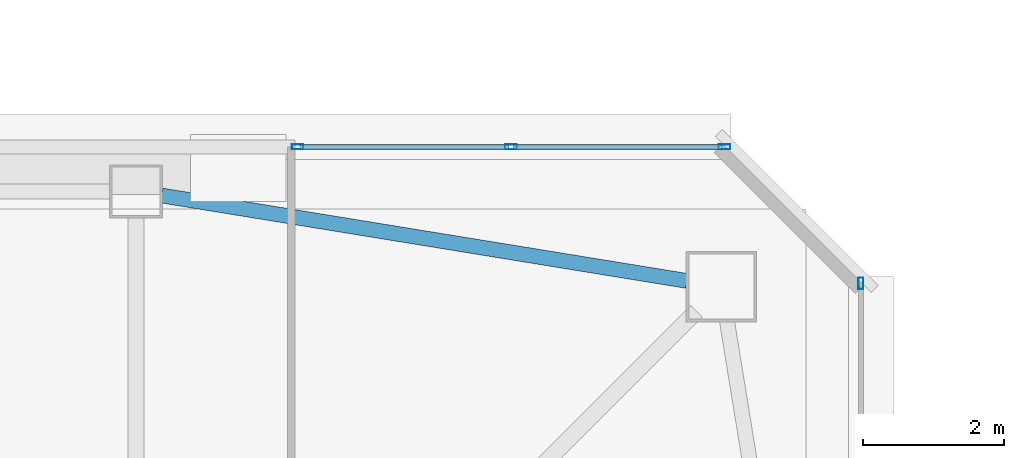
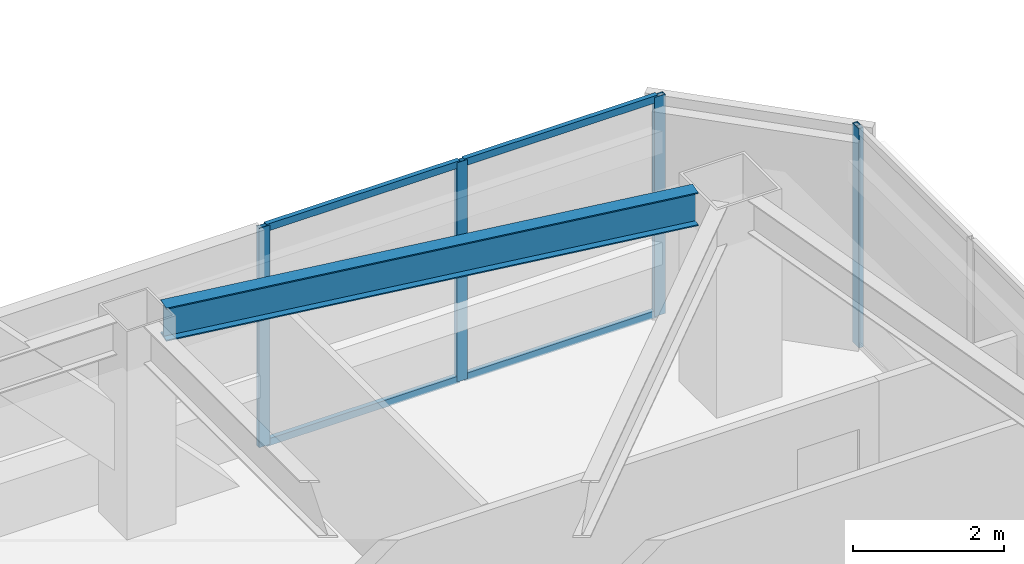
# One storey, part 16 of 39: 8 members, 1 beam, 2 elements without a shape of their own.
"""IFC4 building model written with IfcOpenShell, lengths in metres."""

from ifc_helpers import new_model, si_unit, direction, frame, origin, origin_2d, place, context, subcontext, project, spatial, hollow_rectangle, i_section, extrude, material, material_profile, profile_set, type_object, element, aggregate, save


model = new_model("IFC4")

# Units and contexts
model_context = context("Model", 3, precision=1e-05, world=origin(), true_north=direction((0.0, 1.0)))
body_context = subcontext(model_context, "Body", "Model", "MODEL_VIEW")
ifc_project = project(units=[si_unit("LENGTHUNIT", "METRE"), si_unit("AREAUNIT", "SQUARE_METRE"), si_unit("VOLUMEUNIT", "CUBIC_METRE"), si_unit("PLANEANGLEUNIT", "RADIAN"), si_unit("MASSUNIT", "GRAM", prefix="KILO")], contexts=[model_context])

# Site, building, storey
site_placement = place(None, origin())
site = spatial("IfcSite", under=ifc_project, at=site_placement, CompositionType="ELEMENT")
building_placement = place(site_placement, origin())
building = spatial("IfcBuilding", under=site, at=building_placement, Name="Tashvorn Skyway Center", CompositionType="ELEMENT")
storey_placement = place(building_placement, frame((0.0, 0.0, 239.699951171875)))
storey = spatial("IfcBuildingStorey", under=building, at=storey_placement, Name="L65", CompositionType="ELEMENT", Elevation=239.699951171875)

# Beam
ifc_material_1 = material(Name="Steel ASTM A992 Grade 50", Category="steel")
ifc_material_profile_1 = material_profile(ifc_material_1, i_section(OverallWidth=0.2109375, OverallDepth=0.5390625, WebThickness=0.01171875, FlangeThickness=0.018798828125, at=origin_2d()), Name="W21X73")
ifc_profile_set_1 = profile_set([ifc_material_profile_1], Name="Steel ASTM A992 Grade 50")
beam_type = type_object("IfcBeamType", Name="BM-SPANDREL-W21X73", PredefinedType="SPANDREL", material=ifc_profile_set_1)
beam_placement = place(storey_placement, frame((55.21142578125, 45.779541015625, 3.1005859375), z_axis=(-0.987033514444, 0.160514302677, 0.0), x_axis=(-0.160514302677, -0.987033514444, 0.0)))
element("IfcBeam", 1, at=beam_placement, inside=storey, type_object=beam_type, Name="Tower 1 L65 Spandrel Beam 07", PredefinedType="SPANDREL", context=body_context, shape_type="SweptSolid", body=[
    extrude(i_section(OverallWidth=0.2109375, OverallDepth=0.5390625, WebThickness=0.01171875, FlangeThickness=0.018798828125, at=origin_2d()), origin(), (0.0, 0.0, 1.0), 7.544189453125),
])

# Curtain wall, members
ifc_material_2 = material(Name="Thermally broken bronze-anodized aluminium 6063-T6", Category="aluminium")
curtain_wall_type = type_object("IfcCurtainWallType", Name="CW-CW-Z5", PredefinedType="NOTDEFINED", material=ifc_material_2)
curtain_wall_1_placement = place(storey_placement, origin())
curtain_wall_1 = element("IfcCurtainWall", 2, at=curtain_wall_1_placement, inside=storey, type_object=curtain_wall_type, Name="Tower 1 L65 North Unitised Curtain Wall Glazing Group 3", PredefinedType="NOTDEFINED")
ifc_material_profile_2 = material_profile(ifc_material_2, hollow_rectangle(XDim=0.070068359375, YDim=0.1650390625, WallThickness=0.00390625, at=origin_2d()), Name="ALU-MULL-70x165")
ifc_profile_set_2 = profile_set([ifc_material_profile_2], Name="Thermally broken bronze-anodized aluminium 6063-T6")
member_type_1 = type_object("IfcMemberType", Name="CWM-CW-Z5", PredefinedType="MULLION", material=ifc_profile_set_2)
member_1_placement = place(storey_placement, frame((49.690673828125, 47.679931640625, 0.0), z_axis=(0.0, 0.0, 1.0), x_axis=(0.0, 1.0, 0.0)))
member_1 = element("IfcMember", 3, at=member_1_placement, type_object=member_type_1, Name="CW-Z5 mullion 1", PredefinedType="MULLION", context=body_context, shape_type="SweptSolid", body=[
    extrude(hollow_rectangle(XDim=0.070068359375, YDim=0.1650390625, WallThickness=0.00390625, at=origin_2d()), origin(), (0.0, 0.0, 1.0), 3.550048828125),
])
member_2_placement = place(storey_placement, frame((52.7177734375, 47.679931640625, 0.0), z_axis=(0.0, 0.0, 1.0), x_axis=(0.0, 1.0, 0.0)))
member_2 = element("IfcMember", 4, at=member_2_placement, type_object=member_type_1, Name="CW-Z5 mullion 2", PredefinedType="MULLION", context=body_context, shape_type="SweptSolid", body=[
    extrude(hollow_rectangle(XDim=0.070068359375, YDim=0.1650390625, WallThickness=0.00390625, at=origin_2d()), origin(), (0.0, 0.0, 1.0), 3.550048828125),
])
member_3_placement = place(storey_placement, frame((55.7451171875, 47.679931640625, 0.0), z_axis=(0.0, 0.0, 1.0), x_axis=(0.0, 1.0, 0.0)))
member_3 = element("IfcMember", 5, at=member_3_placement, type_object=member_type_1, Name="CW-Z5 mullion 3", PredefinedType="MULLION", context=body_context, shape_type="SweptSolid", body=[
    extrude(hollow_rectangle(XDim=0.070068359375, YDim=0.1650390625, WallThickness=0.00390625, at=origin_2d()), origin(), (0.0, 0.0, 1.0), 3.550048828125),
])

# Curtain wall, member
curtain_wall_2_placement = place(storey_placement, origin())
curtain_wall_2 = element("IfcCurtainWall", 6, at=curtain_wall_2_placement, inside=storey, type_object=curtain_wall_type, Name="Tower 1 L65 East Unitised Curtain Wall Glazing Group 1", PredefinedType="NOTDEFINED")
member_4_placement = place(storey_placement, frame((57.679931640625, 45.7451171875, 0.0), z_axis=(0.0, 0.0, 1.0), x_axis=(1.0, 0.0, 0.0)))
member_4 = element("IfcMember", 7, at=member_4_placement, type_object=member_type_1, Name="CW-Z5 mullion 1", PredefinedType="MULLION", context=body_context, shape_type="SweptSolid", body=[
    extrude(hollow_rectangle(XDim=0.070068359375, YDim=0.1650390625, WallThickness=0.00390625, at=origin_2d()), origin(), (0.0, 0.0, 1.0), 3.550048828125),
])
aggregate(curtain_wall_2, [member_4])

# Member
ifc_material_profile_3 = material_profile(ifc_material_2, hollow_rectangle(XDim=0.070068359375, YDim=0.114990234375, WallThickness=0.00390625, at=origin_2d()), Name="ALU-TRAN-70x115")
ifc_profile_set_3 = profile_set([ifc_material_profile_3], Name="Thermally broken bronze-anodized aluminium 6063-T6")
member_type_2 = type_object("IfcMemberType", Name="CWT-CW-Z5", PredefinedType="USERDEFINED", material=ifc_profile_set_3)
member_5_placement = place(storey_placement, frame((49.7255859375, 47.679931640625, 0.03515625), z_axis=(1.0, 0.0, 0.0), x_axis=(0.0, 1.0, 0.0)))
member_5 = element("IfcMember", 8, at=member_5_placement, type_object=member_type_2, Name="CW-Z5 transom 1.1", ObjectType="TRANSOM", PredefinedType="USERDEFINED", context=body_context, shape_type="SweptSolid", body=[
    extrude(hollow_rectangle(XDim=0.070068359375, YDim=0.114990234375, WallThickness=0.00390625, at=origin_2d()), origin(), (0.0, 0.0, 1.0), 2.957275390625),
])

member_6_placement = place(storey_placement, frame((49.7255859375, 47.679931640625, 3.51513671875), z_axis=(1.0, 0.0, 0.0), x_axis=(0.0, 1.0, 0.0)))
member_6 = element("IfcMember", 9, at=member_6_placement, type_object=member_type_2, Name="CW-Z5 transom 1.2", ObjectType="TRANSOM", PredefinedType="USERDEFINED", context=body_context, shape_type="SweptSolid", body=[
    extrude(hollow_rectangle(XDim=0.070068359375, YDim=0.114990234375, WallThickness=0.00390625, at=origin_2d()), origin(), (0.0, 0.0, 1.0), 2.957275390625),
])

member_7_placement = place(storey_placement, frame((52.752685546875, 47.679931640625, 0.03515625), z_axis=(1.0, 0.0, 0.0), x_axis=(0.0, 1.0, 0.0)))
member_7 = element("IfcMember", 10, at=member_7_placement, type_object=member_type_2, Name="CW-Z5 transom 2.1", ObjectType="TRANSOM", PredefinedType="USERDEFINED", context=body_context, shape_type="SweptSolid", body=[
    extrude(hollow_rectangle(XDim=0.070068359375, YDim=0.114990234375, WallThickness=0.00390625, at=origin_2d()), origin(), (0.0, 0.0, 1.0), 2.957275390625),
])

member_8_placement = place(storey_placement, frame((52.752685546875, 47.679931640625, 3.51513671875), z_axis=(1.0, 0.0, 0.0), x_axis=(0.0, 1.0, 0.0)))
member_8 = element("IfcMember", 11, at=member_8_placement, type_object=member_type_2, Name="CW-Z5 transom 2.2", ObjectType="TRANSOM", PredefinedType="USERDEFINED", context=body_context, shape_type="SweptSolid", body=[
    extrude(hollow_rectangle(XDim=0.070068359375, YDim=0.114990234375, WallThickness=0.00390625, at=origin_2d()), origin(), (0.0, 0.0, 1.0), 2.957275390625),
])

aggregate(curtain_wall_1, [member_1, member_2, member_3, member_5, member_6, member_7, member_8])

save(model, "model.ifc")
